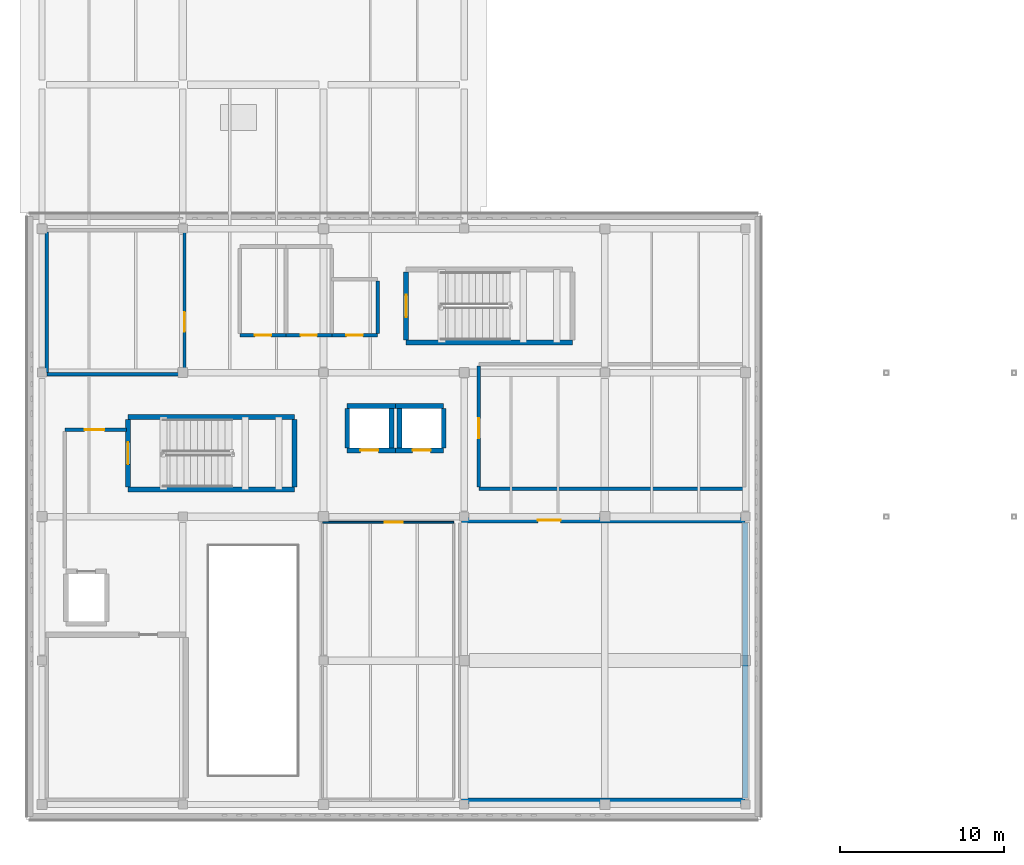
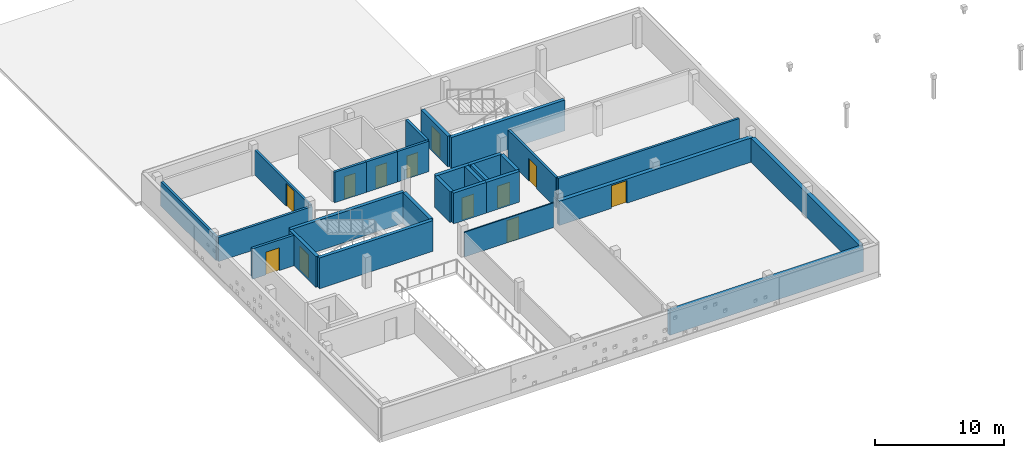
# One storey, part 10 of 17: 28 walls, 12 doors, 12 openings.
"""IFC4 building model written with IfcOpenShell, lengths in metres."""

from ifc_helpers import new_model, si_unit, direction, frame, frame_2d, origin, place, context, subcontext, project, spatial, rectangle, extrude, material, layer, layer_set, type_object, element, fill, save


model = new_model("IFC4")

# Units and contexts
model_context = context("Model", 3, precision=1e-05, world=origin(), true_north=direction((0.0, 1.0)))
body_context = subcontext(model_context, "Body", "Model", "MODEL_VIEW")
ifc_project = project(units=[si_unit("LENGTHUNIT", "METRE"), si_unit("AREAUNIT", "SQUARE_METRE"), si_unit("VOLUMEUNIT", "CUBIC_METRE"), si_unit("PLANEANGLEUNIT", "RADIAN"), si_unit("MASSUNIT", "GRAM", prefix="KILO")], contexts=[model_context])

# Site, building, storey
site_placement = place(None, origin())
site = spatial("IfcSite", under=ifc_project, at=site_placement, CompositionType="ELEMENT")
building_placement = place(site_placement, origin())
building = spatial("IfcBuilding", under=site, at=building_placement, Name="Varnakota Cinema and Media Centre", CompositionType="ELEMENT")
storey_placement = place(building_placement, frame((0.0, 0.0, 22.35009765625)))
storey = spatial("IfcBuildingStorey", under=building, at=storey_placement, Name="L06", CompositionType="ELEMENT", Elevation=22.35009765625)

# Wall
ifc_material_1 = material(Name="Autoclaved aerated concrete blockwork", Category="masonry")
ifc_layer_1 = layer(ifc_material_1, 0.2099609375)
ifc_layer_set_1 = layer_set([ifc_layer_1], Name="Autoclaved aerated concrete blockwork")
wall_type_1 = type_object("IfcWallType", Name="W-ACOUST-210", PredefinedType="PARTITIONING", material=ifc_layer_set_1)
wall_1_placement = place(storey_placement, frame((42.905029296875, 19.294921875, 0.0), z_axis=(0.0, 0.0, 1.0), x_axis=(-1.0, 0.0, 0.0)))
element("IfcWall", 1, at=wall_1_placement, inside=storey, type_object=wall_type_1, Name="L06 RWALL-RM-L06-EDIT5 S wall", PredefinedType="PARTITIONING", context=body_context, shape_type="SweptSolid", body=[
    extrude(rectangle(XDim=16.2099609375, YDim=0.2099609375, at=frame_2d((8.10498046875, 0.0))), origin(), (0.0, 0.0, 1.0), 2.889892578125),
])

# Wall, opening, door
wall_2_placement = place(storey_placement, frame((26.695068359375, 19.39990234375, 0.0), z_axis=(0.0, 0.0, 1.0), x_axis=(0.0, 1.0, 0.0)))
wall_2 = element("IfcWall", 2, at=wall_2_placement, inside=storey, type_object=wall_type_1, Name="L06 RWALL-RM-L06-EDIT5 W wall", PredefinedType="PARTITIONING", context=body_context, shape_type="SweptSolid", body=[
    extrude(rectangle(XDim=7.400146484375, YDim=0.2099609375, at=frame_2d((3.7001953125, 0.0))), origin(), (0.0, 0.0, 1.0), 2.889892578125),
])
opening_1_placement = place(wall_2_placement, frame((3.0, 0.0, 0.0)))
opening_1 = element("IfcOpeningElement", 3, at=opening_1_placement, cuts=wall_2, Name="Opening D-113", PredefinedType="OPENING", context=body_context, shape_type="SweptSolid", body=[
    extrude(rectangle(XDim=1.199951171875, YDim=2.14990234375, at=frame_2d((0.60009765625, 1.074951171875))), frame((0.0, 0.10498046875, 0.0), z_axis=(0.0, -1.0, 0.0), x_axis=(1.0, 0.0, 0.0)), (0.0, 0.0, 1.0), 0.2099609375),
])
ifc_material_2 = material(Name="Thermally broken anodised aluminium AW-6063", Category="aluminium")
door_type_1 = type_object("IfcDoorType", Name="DR-STD-1200x2150", OperationType="NOTDEFINED", PredefinedType="DOOR", material=ifc_material_2)
door_1_placement = place(opening_1_placement, origin())
door_1 = element("IfcDoor", 4, at=door_1_placement, inside=storey, type_object=door_type_1, Name="L06 door D-113", OperationType="SINGLE_SWING_LEFT", OverallHeight=2.14990234375, OverallWidth=1.199951171875, PredefinedType="DOOR", context=body_context, shape_type="SweptSolid", body=[
    extrude(rectangle(XDim=1.199951171875, YDim=2.14990234375, at=frame_2d((0.60009765625, 1.074951171875))), frame((0.0, 0.02490234375, 0.0), z_axis=(0.0, -1.0, 0.0), x_axis=(1.0, 0.0, 0.0)), (0.0, 0.0, 1.0), 0.050048828125),
])
fill(opening_1, door_1)

# Walls
wall_3_placement = place(storey_placement, frame((8.705078125, 26.294921875, 0.0), z_axis=(0.0, 0.0, 1.0), x_axis=(-1.0, 0.0, 0.0)))
element("IfcWall", 5, at=wall_3_placement, inside=storey, type_object=wall_type_1, Name="L06 RWALL-RM-L06-READ S wall", PredefinedType="PARTITIONING", context=body_context, shape_type="SweptSolid", body=[
    extrude(rectangle(XDim=8.41015625, YDim=0.2099609375, at=frame_2d((4.205078125, 0.0))), origin(), (0.0, 0.0, 1.0), 2.289794921875),
])
wall_4_placement = place(storey_placement, frame((0.294921875, 26.39990234375, 0.0), z_axis=(0.0, 0.0, 1.0), x_axis=(0.0, 1.0, 0.0)))
element("IfcWall", 6, at=wall_4_placement, inside=storey, type_object=wall_type_1, Name="L06 RWALL-RM-L06-READ W wall", PredefinedType="PARTITIONING", context=body_context, shape_type="SweptSolid", body=[
    extrude(rectangle(XDim=8.60009765625, YDim=0.2099609375, at=frame_2d((4.300048828125, 0.0))), origin(), (0.0, 0.0, 1.0), 2.289794921875),
])

# Wall, opening, door
wall_5_placement = place(storey_placement, frame((8.705078125, 35.0, 0.0), z_axis=(0.0, 0.0, 1.0), x_axis=(0.0, -1.0, 0.0)))
wall_5 = element("IfcWall", 7, at=wall_5_placement, inside=storey, type_object=wall_type_1, Name="L06 RWALL-RM-L06-READ E wall", PredefinedType="PARTITIONING", context=body_context, shape_type="SweptSolid", body=[
    extrude(rectangle(XDim=8.60009765625, YDim=0.2099609375, at=frame_2d((4.300048828125, 0.0))), origin(), (0.0, 0.0, 1.0), 2.33984375),
])
opening_2_placement = place(wall_5_placement, frame((4.89990234375, 0.0, 0.0)))
opening_2 = element("IfcOpeningElement", 8, at=opening_2_placement, cuts=wall_5, Name="Opening D-114", PredefinedType="OPENING", context=body_context, shape_type="SweptSolid", body=[
    extrude(rectangle(XDim=1.199951171875, YDim=2.14990234375, at=frame_2d((0.60009765625, 1.074951171875))), frame((0.0, 0.10498046875, 0.0), z_axis=(0.0, -1.0, 0.0), x_axis=(1.0, 0.0, 0.0)), (0.0, 0.0, 1.0), 0.2099609375),
])
door_2_placement = place(opening_2_placement, origin())
door_2 = element("IfcDoor", 9, at=door_2_placement, inside=storey, type_object=door_type_1, Name="L06 door D-114", OperationType="SINGLE_SWING_RIGHT", OverallHeight=2.14990234375, OverallWidth=1.199951171875, PredefinedType="DOOR", context=body_context, shape_type="SweptSolid", body=[
    extrude(rectangle(XDim=1.199951171875, YDim=2.14990234375, at=frame_2d((0.60009765625, 1.074951171875))), frame((0.0, 0.02490234375, 0.0), z_axis=(0.0, -1.0, 0.0), x_axis=(1.0, 0.0, 0.0)), (0.0, 0.0, 1.0), 0.050048828125),
])
fill(opening_2, door_2)

ifc_material_3 = material(Name="Autoclaved aerated concrete blockwork", Category="masonry")
ifc_layer_2 = layer(ifc_material_3, 0.22998046875)
ifc_layer_set_2 = layer_set([ifc_layer_2], Name="Autoclaved aerated concrete blockwork")
wall_type_2 = type_object("IfcWallType", Name="W-BOX-230", PredefinedType="PARTITIONING", material=ifc_layer_set_2)
wall_6_placement = place(storey_placement, frame((1.385009765625, 22.9150390625, 0.0), z_axis=(0.0, 0.0, 1.0), x_axis=(1.0, 0.0, 0.0)))
wall_6 = element("IfcWall", 10, at=wall_6_placement, inside=storey, type_object=wall_type_2, Name="L06 RWALL-RM-L06-FF-1 N wall", PredefinedType="PARTITIONING", context=body_context, shape_type="SweptSolid", body=[
    extrude(rectangle(XDim=3.780029296875, YDim=0.22998046875, at=frame_2d((1.89013671875, 0.0))), origin(), (0.0, 0.0, 1.0), 2.889892578125),
])
opening_3_placement = place(wall_6_placement, frame((1.215087890625, 0.0, 0.0)))
opening_3 = element("IfcOpeningElement", 11, at=opening_3_placement, cuts=wall_6, Name="Opening D-008", PredefinedType="OPENING", context=body_context, shape_type="SweptSolid", body=[
    extrude(rectangle(XDim=1.199951171875, YDim=2.14990234375, at=frame_2d((0.60009765625, 1.074951171875))), frame((0.0, 0.114990234375, 0.0), z_axis=(0.0, -1.0, 0.0), x_axis=(1.0, 0.0, 0.0)), (0.0, 0.0, 1.0), 0.22998046875),
])
door_3_placement = place(opening_3_placement, origin())
door_3 = element("IfcDoor", 12, at=door_3_placement, inside=storey, type_object=door_type_1, Name="L06 door D-008", OperationType="SINGLE_SWING_RIGHT", OverallHeight=2.14990234375, OverallWidth=1.199951171875, PredefinedType="DOOR", context=body_context, shape_type="SweptSolid", body=[
    extrude(rectangle(XDim=1.199951171875, YDim=2.14990234375, at=frame_2d((0.60009765625, 1.074951171875))), frame((0.0, 0.02490234375, 0.0), z_axis=(0.0, -1.0, 0.0), x_axis=(1.0, 0.0, 0.0)), (0.0, 0.0, 1.0), 0.050048828125),
])
fill(opening_3, door_3)

# Wall
ifc_material_4 = material(Name="Concrete M40", Category="concrete")
ifc_layer_3 = layer(ifc_material_4, 0.300048828125)
ifc_layer_set_3 = layer_set([ifc_layer_3], Name="Concrete M40")
wall_type_3 = type_object("IfcWallType", Name="W-CORE-300", PredefinedType="SHEAR", material=ifc_layer_set_3)
wall_7_placement = place(storey_placement, frame((15.429931640625, 19.25, 0.0), z_axis=(0.0, 0.0, 1.0), x_axis=(-1.0, 0.0, 0.0)))
element("IfcWall", 13, at=wall_7_placement, inside=storey, type_object=wall_type_3, Name="L06 CWALL-ST-01-L06 S wall", PredefinedType="SHEAR", context=body_context, shape_type="SweptSolid", body=[
    extrude(rectangle(XDim=10.179931640625, YDim=0.300048828125, at=frame_2d((5.08984375, 0.0))), origin(), (0.0, 0.0, 1.0), 2.909912109375),
])

# Wall, opening, door
wall_8_placement = place(storey_placement, frame((5.25, 19.39990234375, 0.0), z_axis=(0.0, 0.0, 1.0), x_axis=(0.0, 1.0, 0.0)))
wall_8 = element("IfcWall", 14, at=wall_8_placement, inside=storey, type_object=wall_type_3, Name="L06 CWALL-ST-01-L06 W wall", PredefinedType="SHEAR", context=body_context, shape_type="SweptSolid", body=[
    extrude(rectangle(XDim=4.150146484375, YDim=0.300048828125, at=frame_2d((2.0751953125, 0.0))), origin(), (0.0, 0.0, 1.0), 2.909912109375),
])
opening_4_placement = place(wall_8_placement, frame((1.39990234375, 0.0, 0.0)))
opening_4 = element("IfcOpeningElement", 15, at=opening_4_placement, cuts=wall_8, Name="Opening SD-01", PredefinedType="OPENING", context=body_context, shape_type="SweptSolid", body=[
    extrude(rectangle(XDim=1.35009765625, YDim=2.199951171875, at=frame_2d((0.675048828125, 1.10009765625))), frame((0.0, 0.14990234375, 0.0), z_axis=(0.0, -1.0, 0.0), x_axis=(1.0, 0.0, 0.0)), (0.0, 0.0, 1.0), 0.300048828125),
])
ifc_material_5 = material(Name="Thermally broken anodised aluminium AW-6063", Category="aluminium")
door_type_2 = type_object("IfcDoorType", Name="DR-STAIR-1350x2200", OperationType="NOTDEFINED", PredefinedType="DOOR", material=ifc_material_5)
door_4_placement = place(opening_4_placement, origin())
door_4 = element("IfcDoor", 16, at=door_4_placement, inside=storey, type_object=door_type_2, Name="L06 door SD-01", OperationType="SINGLE_SWING_LEFT", OverallHeight=2.199951171875, OverallWidth=1.35009765625, PredefinedType="DOOR", context=body_context, shape_type="SweptSolid", body=[
    extrude(rectangle(XDim=1.35009765625, YDim=2.199951171875, at=frame_2d((0.675048828125, 1.10009765625))), frame((0.0, 0.02490234375, 0.0), z_axis=(0.0, -1.0, 0.0), x_axis=(1.0, 0.0, 0.0)), (0.0, 0.0, 1.0), 0.050048828125),
])
fill(opening_4, door_4)

# Walls
wall_9_placement = place(storey_placement, frame((5.25, 23.699951171875, 0.0), z_axis=(0.0, 0.0, 1.0), x_axis=(1.0, 0.0, 0.0)))
element("IfcWall", 17, at=wall_9_placement, inside=storey, type_object=wall_type_3, Name="L06 CWALL-ST-01-L06 N wall", PredefinedType="SHEAR", context=body_context, shape_type="SweptSolid", body=[
    extrude(rectangle(XDim=10.179931640625, YDim=0.300048828125, at=frame_2d((5.08984375, 0.0))), origin(), (0.0, 0.0, 1.0), 2.909912109375),
])
wall_10_placement = place(storey_placement, frame((15.429931640625, 23.550048828125, 0.0), z_axis=(0.0, 0.0, 1.0), x_axis=(0.0, -1.0, 0.0)))
element("IfcWall", 18, at=wall_10_placement, inside=storey, type_object=wall_type_3, Name="L06 CWALL-ST-01-L06 E wall", PredefinedType="SHEAR", context=body_context, shape_type="SweptSolid", body=[
    extrude(rectangle(XDim=4.150146484375, YDim=0.300048828125, at=frame_2d((2.0751953125, 0.0))), origin(), (0.0, 0.0, 1.0), 2.909912109375),
])
wall_11_placement = place(storey_placement, frame((32.429931640625, 28.25, 0.0), z_axis=(0.0, 0.0, 1.0), x_axis=(-1.0, 0.0, 0.0)))
element("IfcWall", 19, at=wall_11_placement, inside=storey, type_object=wall_type_3, Name="L06 CWALL-ST-02-L06 S wall", PredefinedType="SHEAR", context=body_context, shape_type="SweptSolid", body=[
    extrude(rectangle(XDim=10.179931640625, YDim=0.300048828125, at=frame_2d((5.08984375, 0.0))), origin(), (0.0, 0.0, 1.0), 2.909912109375),
])

# Wall, opening, door
wall_12_placement = place(storey_placement, frame((22.25, 28.39990234375, 0.0), z_axis=(0.0, 0.0, 1.0), x_axis=(0.0, 1.0, 0.0)))
wall_12 = element("IfcWall", 20, at=wall_12_placement, inside=storey, type_object=wall_type_3, Name="L06 CWALL-ST-02-L06 W wall", PredefinedType="SHEAR", context=body_context, shape_type="SweptSolid", body=[
    extrude(rectangle(XDim=4.150146484375, YDim=0.300048828125, at=frame_2d((2.0751953125, 0.0))), origin(), (0.0, 0.0, 1.0), 2.909912109375),
])
opening_5_placement = place(wall_12_placement, frame((1.39990234375, 0.0, 0.0)))
opening_5 = element("IfcOpeningElement", 21, at=opening_5_placement, cuts=wall_12, Name="Opening SD-02", PredefinedType="OPENING", context=body_context, shape_type="SweptSolid", body=[
    extrude(rectangle(XDim=1.35009765625, YDim=2.199951171875, at=frame_2d((0.675048828125, 1.10009765625))), frame((0.0, 0.14990234375, 0.0), z_axis=(0.0, -1.0, 0.0), x_axis=(1.0, 0.0, 0.0)), (0.0, 0.0, 1.0), 0.300048828125),
])
door_5_placement = place(opening_5_placement, origin())
door_5 = element("IfcDoor", 22, at=door_5_placement, inside=storey, type_object=door_type_2, Name="L06 door SD-02", OperationType="SINGLE_SWING_LEFT", OverallHeight=2.199951171875, OverallWidth=1.35009765625, PredefinedType="DOOR", context=body_context, shape_type="SweptSolid", body=[
    extrude(rectangle(XDim=1.35009765625, YDim=2.199951171875, at=frame_2d((0.675048828125, 1.10009765625))), frame((0.0, 0.02490234375, 0.0), z_axis=(0.0, -1.0, 0.0), x_axis=(1.0, 0.0, 0.0)), (0.0, 0.0, 1.0), 0.050048828125),
])
fill(opening_5, door_5)

wall_13_placement = place(storey_placement, frame((21.60009765625, 21.64990234375, 0.0), z_axis=(0.0, 0.0, 1.0), x_axis=(-1.0, 0.0, 0.0)))
wall_13 = element("IfcWall", 23, at=wall_13_placement, inside=storey, type_object=wall_type_3, Name="L06 LSHAFT-LF-03-L06 S wall", PredefinedType="SHEAR", context=body_context, shape_type="SweptSolid", body=[
    extrude(rectangle(XDim=2.9501953125, YDim=0.300048828125, at=frame_2d((1.47509765625, 0.0))), origin(), (0.0, 0.0, 1.0), 2.909912109375),
])
opening_6_placement = place(wall_13_placement, frame((1.050048828125, 0.0, 0.0)))
opening_6 = element("IfcOpeningElement", 24, at=opening_6_placement, cuts=wall_13, Name="Opening LD-03", PredefinedType="OPENING", context=body_context, shape_type="SweptSolid", body=[
    extrude(rectangle(XDim=1.10009765625, YDim=2.10009765625, at=frame_2d((0.550048828125, 1.050048828125))), frame((0.0, 0.14990234375, 0.0), z_axis=(0.0, -1.0, 0.0), x_axis=(1.0, 0.0, 0.0)), (0.0, 0.0, 1.0), 0.300048828125),
])
ifc_material_6 = material(Name="Thermally broken anodised aluminium AW-6063", Category="aluminium")
door_type_3 = type_object("IfcDoorType", Name="DR-LIFT-1100x2100", OperationType="SLIDING_TO_LEFT", PredefinedType="DOOR", material=ifc_material_6)
door_6_placement = place(opening_6_placement, origin())
door_6 = element("IfcDoor", 25, at=door_6_placement, inside=storey, type_object=door_type_3, Name="L06 door LD-03", OperationType="SLIDING_TO_LEFT", OverallHeight=2.10009765625, OverallWidth=1.10009765625, PredefinedType="DOOR", context=body_context, shape_type="SweptSolid", body=[
    extrude(rectangle(XDim=1.10009765625, YDim=2.10009765625, at=frame_2d((0.550048828125, 1.050048828125))), frame((0.0, 0.02490234375, 0.0), z_axis=(0.0, -1.0, 0.0), x_axis=(1.0, 0.0, 0.0)), (0.0, 0.0, 1.0), 0.050048828125),
])
fill(opening_6, door_6)

# Walls
wall_14_placement = place(storey_placement, frame((18.64990234375, 21.800048828125, 0.0), z_axis=(0.0, 0.0, 1.0), x_axis=(0.0, 1.0, 0.0)))
element("IfcWall", 26, at=wall_14_placement, inside=storey, type_object=wall_type_3, Name="L06 LSHAFT-LF-03-L06 W wall", PredefinedType="SHEAR", context=body_context, shape_type="SweptSolid", body=[
    extrude(rectangle(XDim=2.39990234375, YDim=0.300048828125, at=frame_2d((1.199951171875, 0.0))), origin(), (0.0, 0.0, 1.0), 2.909912109375),
])
wall_15_placement = place(storey_placement, frame((18.64990234375, 24.35009765625, 0.0), z_axis=(0.0, 0.0, 1.0), x_axis=(1.0, 0.0, 0.0)))
element("IfcWall", 27, at=wall_15_placement, inside=storey, type_object=wall_type_3, Name="L06 LSHAFT-LF-03-L06 N wall", PredefinedType="SHEAR", context=body_context, shape_type="SweptSolid", body=[
    extrude(rectangle(XDim=2.9501953125, YDim=0.300048828125, at=frame_2d((1.47509765625, 0.0))), origin(), (0.0, 0.0, 1.0), 2.909912109375),
])
wall_16_placement = place(storey_placement, frame((21.35009765625, 24.199951171875, 0.0), z_axis=(0.0, 0.0, 1.0), x_axis=(0.0, -1.0, 0.0)))
element("IfcWall", 28, at=wall_16_placement, inside=storey, type_object=wall_type_3, Name="L06 LSHAFT-LF-03-L06 E wall", PredefinedType="SHEAR", context=body_context, shape_type="SweptSolid", body=[
    extrude(rectangle(XDim=2.39990234375, YDim=0.300048828125, at=frame_2d((1.199951171875, 0.0))), origin(), (0.0, 0.0, 1.0), 2.909912109375),
])

# Wall, opening, door
wall_17_placement = place(storey_placement, frame((24.550048828125, 21.64990234375, 0.0), z_axis=(0.0, 0.0, 1.0), x_axis=(-1.0, 0.0, 0.0)))
wall_17 = element("IfcWall", 29, at=wall_17_placement, inside=storey, type_object=wall_type_3, Name="L06 LSHAFT-LF-04-L06 S wall", PredefinedType="SHEAR", context=body_context, shape_type="SweptSolid", body=[
    extrude(rectangle(XDim=2.949951171875, YDim=0.300048828125, at=frame_2d((1.47509765625, 0.0))), origin(), (0.0, 0.0, 1.0), 2.909912109375),
])
opening_7_placement = place(wall_17_placement, frame((0.800048828125, 0.0, 0.0)))
opening_7 = element("IfcOpeningElement", 30, at=opening_7_placement, cuts=wall_17, Name="Opening LD-04", PredefinedType="OPENING", context=body_context, shape_type="SweptSolid", body=[
    extrude(rectangle(XDim=1.10009765625, YDim=2.10009765625, at=frame_2d((0.550048828125, 1.050048828125))), frame((0.0, 0.14990234375, 0.0), z_axis=(0.0, -1.0, 0.0), x_axis=(1.0, 0.0, 0.0)), (0.0, 0.0, 1.0), 0.300048828125),
])
door_7_placement = place(opening_7_placement, origin())
door_7 = element("IfcDoor", 31, at=door_7_placement, inside=storey, type_object=door_type_3, Name="L06 door LD-04", OperationType="SLIDING_TO_LEFT", OverallHeight=2.10009765625, OverallWidth=1.10009765625, PredefinedType="DOOR", context=body_context, shape_type="SweptSolid", body=[
    extrude(rectangle(XDim=1.10009765625, YDim=2.10009765625, at=frame_2d((0.550048828125, 1.050048828125))), frame((0.0, 0.02490234375, 0.0), z_axis=(0.0, -1.0, 0.0), x_axis=(1.0, 0.0, 0.0)), (0.0, 0.0, 1.0), 0.050048828125),
])
fill(opening_7, door_7)

# Walls
wall_18_placement = place(storey_placement, frame((21.85009765625, 21.800048828125, 0.0), z_axis=(0.0, 0.0, 1.0), x_axis=(0.0, 1.0, 0.0)))
element("IfcWall", 32, at=wall_18_placement, inside=storey, type_object=wall_type_3, Name="L06 LSHAFT-LF-04-L06 W wall", PredefinedType="SHEAR", context=body_context, shape_type="SweptSolid", body=[
    extrude(rectangle(XDim=2.39990234375, YDim=0.300048828125, at=frame_2d((1.199951171875, 0.0))), origin(), (0.0, 0.0, 1.0), 2.909912109375),
])
wall_19_placement = place(storey_placement, frame((21.60009765625, 24.35009765625, 0.0), z_axis=(0.0, 0.0, 1.0), x_axis=(1.0, 0.0, 0.0)))
element("IfcWall", 33, at=wall_19_placement, inside=storey, type_object=wall_type_3, Name="L06 LSHAFT-LF-04-L06 N wall", PredefinedType="SHEAR", context=body_context, shape_type="SweptSolid", body=[
    extrude(rectangle(XDim=2.949951171875, YDim=0.300048828125, at=frame_2d((1.47509765625, 0.0))), origin(), (0.0, 0.0, 1.0), 2.909912109375),
])
wall_20_placement = place(storey_placement, frame((24.550048828125, 24.199951171875, 0.0), z_axis=(0.0, 0.0, 1.0), x_axis=(0.0, -1.0, 0.0)))
element("IfcWall", 34, at=wall_20_placement, inside=storey, type_object=wall_type_3, Name="L06 LSHAFT-LF-04-L06 E wall", PredefinedType="SHEAR", context=body_context, shape_type="SweptSolid", body=[
    extrude(rectangle(XDim=2.39990234375, YDim=0.300048828125, at=frame_2d((1.199951171875, 0.0))), origin(), (0.0, 0.0, 1.0), 2.909912109375),
])

# Wall, opening, door
ifc_material_7 = material(Name="Autoclaved aerated concrete blockwork", Category="masonry")
ifc_layer_4 = layer(ifc_material_7, 0.110107421875)
ifc_layer_set_4 = layer_set([ifc_layer_4], Name="Autoclaved aerated concrete blockwork")
wall_type_4 = type_object("IfcWallType", Name="W-PART-110", PredefinedType="PARTITIONING", material=ifc_layer_set_4)
wall_21_placement = place(storey_placement, frame((17.14501953125, 17.2548828125, 0.0), z_axis=(0.0, 0.0, 1.0), x_axis=(1.0, 0.0, 0.0)))
wall_21 = element("IfcWall", 35, at=wall_21_placement, inside=storey, type_object=wall_type_4, Name="L06 RWALL-RM-L06-PROJ6 N wall", PredefinedType="PARTITIONING", context=body_context, shape_type="SweptSolid", body=[
    extrude(rectangle(XDim=8.010009765625, YDim=0.110107421875, at=frame_2d((4.0048828125, 0.0))), origin(), (0.0, 0.0, 1.0), 2.33984375),
])
opening_8_placement = place(wall_21_placement, frame((3.804931640625, 0.0, 0.0)))
opening_8 = element("IfcOpeningElement", 36, at=opening_8_placement, cuts=wall_21, Name="Opening D-112", PredefinedType="OPENING", context=body_context, shape_type="SweptSolid", body=[
    extrude(rectangle(XDim=1.10009765625, YDim=2.10009765625, at=frame_2d((0.550048828125, 1.050048828125))), frame((0.0, 0.05517578125, 0.0), z_axis=(0.0, -1.0, 0.0), x_axis=(1.0, 0.0, 0.0)), (0.0, 0.0, 1.0), 0.110107421875),
])
ifc_material_8 = material(Name="Thermally broken anodised aluminium AW-6063", Category="aluminium")
door_type_4 = type_object("IfcDoorType", Name="DR-STD-1100x2100", OperationType="NOTDEFINED", PredefinedType="DOOR", material=ifc_material_8)
door_8_placement = place(opening_8_placement, origin())
door_8 = element("IfcDoor", 37, at=door_8_placement, inside=storey, type_object=door_type_4, Name="L06 door D-112", OperationType="SINGLE_SWING_RIGHT", OverallHeight=2.10009765625, OverallWidth=1.10009765625, PredefinedType="DOOR", context=body_context, shape_type="SweptSolid", body=[
    extrude(rectangle(XDim=1.10009765625, YDim=2.10009765625, at=frame_2d((0.550048828125, 1.050048828125))), frame((0.0, 0.02490234375, 0.0), z_axis=(0.0, -1.0, 0.0), x_axis=(1.0, 0.0, 0.0)), (0.0, 0.0, 1.0), 0.050048828125),
])
fill(opening_8, door_8)

ifc_material_9 = material(Name="Autoclaved aerated concrete blockwork", Category="masonry")
ifc_layer_5 = layer(ifc_material_9, 0.219970703125)
ifc_layer_set_5 = layer_set([ifc_layer_5], Name="Autoclaved aerated concrete blockwork")
wall_type_5 = type_object("IfcWallType", Name="W-PLUMB-220", PredefinedType="PLUMBINGWALL", material=ifc_layer_set_5)
wall_22_placement = place(storey_placement, frame((14.909912109375, 28.68994140625, 0.0), z_axis=(0.0, 0.0, 1.0), x_axis=(-1.0, 0.0, 0.0)))
wall_22 = element("IfcWall", 38, at=wall_22_placement, inside=storey, type_object=wall_type_5, Name="L06 RWALL-RM-L06-WCM S wall", PredefinedType="PLUMBINGWALL", context=body_context, shape_type="SweptSolid", body=[
    extrude(rectangle(XDim=2.81982421875, YDim=0.219970703125, at=frame_2d((1.409912109375, 0.0))), origin(), (0.0, 0.0, 1.0), 2.889892578125),
])
opening_9_placement = place(wall_22_placement, frame((0.909912109375, 0.0, 0.0)))
opening_9 = element("IfcOpeningElement", 39, at=opening_9_placement, cuts=wall_22, Name="Opening D-035", PredefinedType="OPENING", context=body_context, shape_type="SweptSolid", body=[
    extrude(rectangle(XDim=1.0, YDim=2.10009765625, at=frame_2d((0.5, 1.050048828125))), frame((0.0, 0.10986328125, 0.0), z_axis=(0.0, -1.0, 0.0), x_axis=(1.0, 0.0, 0.0)), (0.0, 0.0, 1.0), 0.219970703125),
])
ifc_material_10 = material(Name="Thermally broken anodised aluminium AW-6063", Category="aluminium")
door_type_5 = type_object("IfcDoorType", Name="DR-STD-1000x2100", OperationType="NOTDEFINED", PredefinedType="DOOR", material=ifc_material_10)
door_9_placement = place(opening_9_placement, origin())
door_9 = element("IfcDoor", 40, at=door_9_placement, inside=storey, type_object=door_type_5, Name="L06 door D-035", OperationType="SINGLE_SWING_LEFT", OverallHeight=2.10009765625, OverallWidth=1.0, PredefinedType="DOOR", context=body_context, shape_type="SweptSolid", body=[
    extrude(rectangle(XDim=1.0, YDim=2.10009765625, at=frame_2d((0.5, 1.050048828125))), frame((0.0, 0.02490234375, 0.0), z_axis=(0.0, -1.0, 0.0), x_axis=(1.0, 0.0, 0.0)), (0.0, 0.0, 1.0), 0.050048828125),
])
fill(opening_9, door_9)

wall_23_placement = place(storey_placement, frame((17.7099609375, 28.68994140625, 0.0), z_axis=(0.0, 0.0, 1.0), x_axis=(-1.0, 0.0, 0.0)))
wall_23 = element("IfcWall", 41, at=wall_23_placement, inside=storey, type_object=wall_type_5, Name="L06 RWALL-RM-L06-WCF S wall", PredefinedType="PLUMBINGWALL", context=body_context, shape_type="SweptSolid", body=[
    extrude(rectangle(XDim=2.820068359375, YDim=0.219970703125, at=frame_2d((1.41015625, 0.0))), origin(), (0.0, 0.0, 1.0), 2.889892578125),
])
opening_10_placement = place(wall_23_placement, frame((0.909912109375, 0.0, 0.0)))
opening_10 = element("IfcOpeningElement", 42, at=opening_10_placement, cuts=wall_23, Name="Opening D-036", PredefinedType="OPENING", context=body_context, shape_type="SweptSolid", body=[
    extrude(rectangle(XDim=1.0, YDim=2.10009765625, at=frame_2d((0.5, 1.050048828125))), frame((0.0, 0.10986328125, 0.0), z_axis=(0.0, -1.0, 0.0), x_axis=(1.0, 0.0, 0.0)), (0.0, 0.0, 1.0), 0.219970703125),
])
door_10_placement = place(opening_10_placement, origin())
door_10 = element("IfcDoor", 43, at=door_10_placement, inside=storey, type_object=door_type_5, Name="L06 door D-036", OperationType="SINGLE_SWING_RIGHT", OverallHeight=2.10009765625, OverallWidth=1.0, PredefinedType="DOOR", context=body_context, shape_type="SweptSolid", body=[
    extrude(rectangle(XDim=1.0, YDim=2.10009765625, at=frame_2d((0.5, 1.050048828125))), frame((0.0, 0.02490234375, 0.0), z_axis=(0.0, -1.0, 0.0), x_axis=(1.0, 0.0, 0.0)), (0.0, 0.0, 1.0), 0.050048828125),
])
fill(opening_10, door_10)

wall_24_placement = place(storey_placement, frame((20.510009765625, 28.68994140625, 0.0), z_axis=(0.0, 0.0, 1.0), x_axis=(-1.0, 0.0, 0.0)))
wall_24 = element("IfcWall", 44, at=wall_24_placement, inside=storey, type_object=wall_type_5, Name="L06 RWALL-RM-L06-WCA S wall", PredefinedType="PLUMBINGWALL", context=body_context, shape_type="SweptSolid", body=[
    extrude(rectangle(XDim=2.820068359375, YDim=0.219970703125, at=frame_2d((1.41015625, 0.0))), origin(), (0.0, 0.0, 1.0), 2.889892578125),
])
opening_11_placement = place(wall_24_placement, frame((0.909912109375, 0.0, 0.0)))
opening_11 = element("IfcOpeningElement", 45, at=opening_11_placement, cuts=wall_24, Name="Opening D-037", PredefinedType="OPENING", context=body_context, shape_type="SweptSolid", body=[
    extrude(rectangle(XDim=1.0, YDim=2.10009765625, at=frame_2d((0.5, 1.050048828125))), frame((0.0, 0.10986328125, 0.0), z_axis=(0.0, -1.0, 0.0), x_axis=(1.0, 0.0, 0.0)), (0.0, 0.0, 1.0), 0.219970703125),
])
door_11_placement = place(opening_11_placement, origin())
door_11 = element("IfcDoor", 46, at=door_11_placement, inside=storey, type_object=door_type_5, Name="L06 door D-037", OperationType="SINGLE_SWING_LEFT", OverallHeight=2.10009765625, OverallWidth=1.0, PredefinedType="DOOR", context=body_context, shape_type="SweptSolid", body=[
    extrude(rectangle(XDim=1.0, YDim=2.10009765625, at=frame_2d((0.5, 1.050048828125))), frame((0.0, 0.02490234375, 0.0), z_axis=(0.0, -1.0, 0.0), x_axis=(1.0, 0.0, 0.0)), (0.0, 0.0, 1.0), 0.050048828125),
])
fill(opening_11, door_11)

# Walls
wall_25_placement = place(storey_placement, frame((20.510009765625, 32.0, 0.0), z_axis=(0.0, 0.0, 1.0), x_axis=(0.0, -1.0, 0.0)))
element("IfcWall", 47, at=wall_25_placement, inside=storey, type_object=wall_type_5, Name="L06 RWALL-RM-L06-WCA E wall", PredefinedType="PLUMBINGWALL", context=body_context, shape_type="SweptSolid", body=[
    extrude(rectangle(XDim=3.199951171875, YDim=0.219970703125, at=frame_2d((1.60009765625, 0.0))), origin(), (0.0, 0.0, 1.0), 2.889892578125),
])
ifc_material_11 = material(Name="Concrete M40", Category="concrete")
ifc_layer_6 = layer(ifc_material_11, 0.35009765625)
ifc_layer_set_6 = layer_set([ifc_layer_6], Name="Concrete M40")
wall_type_6 = type_object("IfcWallType", Name="W-SEP-350", PredefinedType="SOLIDWALL", material=ifc_layer_set_6)
wall_26_placement = place(storey_placement, frame((42.97509765625, 0.22509765625, 0.0), z_axis=(0.0, 0.0, 1.0), x_axis=(-1.0, 0.0, 0.0)))
element("IfcWall", 48, at=wall_26_placement, inside=storey, type_object=wall_type_6, Name="L06 RWALL-RM-L06-PREV1 S wall", PredefinedType="SOLIDWALL", context=body_context, shape_type="SweptSolid", body=[
    extrude(rectangle(XDim=17.35009765625, YDim=0.35009765625, at=frame_2d((8.675048828125, 0.0))), origin(), (0.0, 0.0, 1.0), 2.289794921875),
])

# Wall, opening, door
wall_27_placement = place(storey_placement, frame((25.625, 17.375, 0.0), z_axis=(0.0, 0.0, 1.0), x_axis=(1.0, 0.0, 0.0)))
wall_27 = element("IfcWall", 49, at=wall_27_placement, inside=storey, type_object=wall_type_6, Name="L06 RWALL-RM-L06-PREV1 N wall", PredefinedType="SOLIDWALL", context=body_context, shape_type="SweptSolid", body=[
    extrude(rectangle(XDim=17.35009765625, YDim=0.35009765625, at=frame_2d((8.675048828125, 0.0))), origin(), (0.0, 0.0, 1.0), 2.289794921875),
])
opening_12_placement = place(wall_27_placement, frame((4.675048828125, 0.0, 0.0)))
opening_12 = element("IfcOpeningElement", 50, at=opening_12_placement, cuts=wall_27, Name="Opening D-111", PredefinedType="OPENING", context=body_context, shape_type="SweptSolid", body=[
    extrude(rectangle(XDim=1.39990234375, YDim=2.14990234375, at=frame_2d((0.699951171875, 1.074951171875))), frame((0.0, 0.175048828125, 0.0), z_axis=(0.0, -1.0, 0.0), x_axis=(1.0, 0.0, 0.0)), (0.0, 0.0, 1.0), 0.35009765625),
])
ifc_material_12 = material(Name="Thermally broken anodised aluminium AW-6063", Category="aluminium")
door_type_6 = type_object("IfcDoorType", Name="DR-STD-1400x2150", OperationType="DOUBLE_DOOR_SINGLE_SWING", PredefinedType="DOOR", material=ifc_material_12)
door_12_placement = place(opening_12_placement, origin())
door_12 = element("IfcDoor", 51, at=door_12_placement, inside=storey, type_object=door_type_6, Name="L06 door D-111", OperationType="DOUBLE_DOOR_SINGLE_SWING", OverallHeight=2.14990234375, OverallWidth=1.39990234375, PredefinedType="DOOR", context=body_context, shape_type="SweptSolid", body=[
    extrude(rectangle(XDim=1.39990234375, YDim=2.14990234375, at=frame_2d((0.699951171875, 1.074951171875))), frame((0.0, 0.02490234375, 0.0), z_axis=(0.0, -1.0, 0.0), x_axis=(1.0, 0.0, 0.0)), (0.0, 0.0, 1.0), 0.050048828125),
])
fill(opening_12, door_12)

# Wall
wall_28_placement = place(storey_placement, frame((42.97509765625, 17.199951171875, 0.0), z_axis=(0.0, 0.0, 1.0), x_axis=(0.0, -1.0, 0.0)))
element("IfcWall", 52, at=wall_28_placement, inside=storey, type_object=wall_type_6, Name="L06 RWALL-RM-L06-PREV1 E wall", PredefinedType="SOLIDWALL", context=body_context, shape_type="SweptSolid", body=[
    extrude(rectangle(XDim=16.800048828125, YDim=0.35009765625, at=frame_2d((8.39990234375, 0.0))), origin(), (0.0, 0.0, 1.0), 2.289794921875),
])

save(model, "model.ifc")
